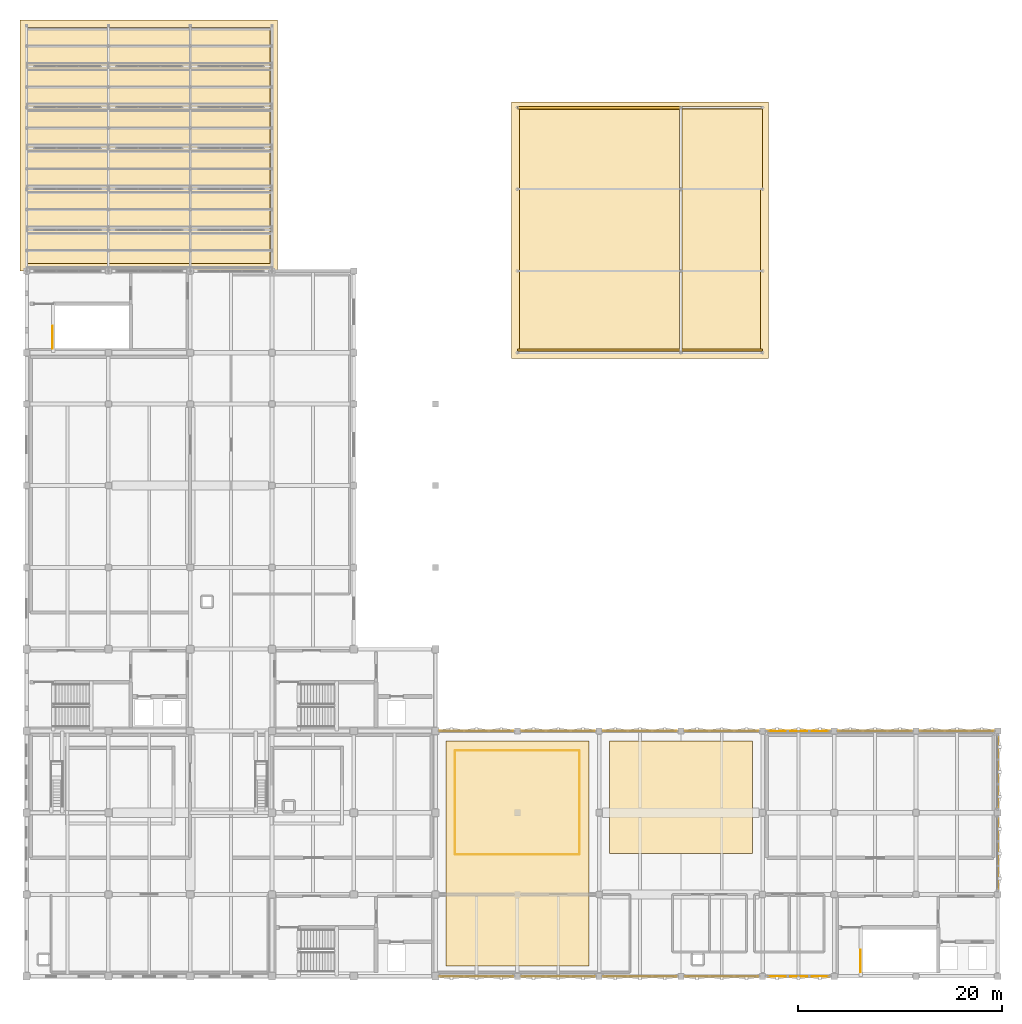
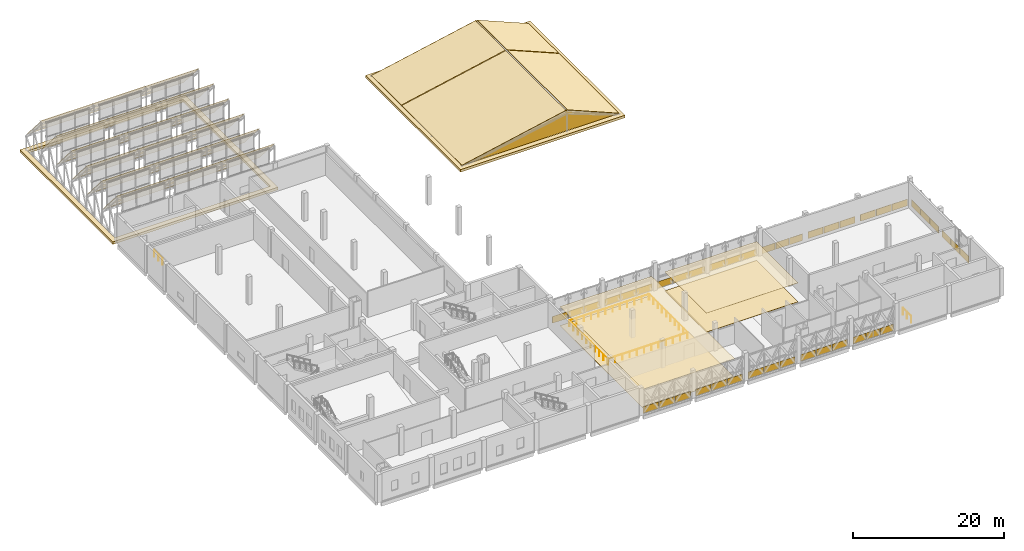
# One storey, part 43 of 43: 60 coverings, 6 railings.
"""IFC4 building model written with IfcOpenShell, lengths in metres."""

from ifc_helpers import new_model, si_unit, direction, frame, origin, origin_2d, place, context, subcontext, project, spatial, polyline, rectangle, circle, outline, extrude, material, layer, layer_set, type_object, element, save


model = new_model("IFC4")

# Units and contexts
model_context = context("Model", 3, precision=1e-05, world=origin(), true_north=direction((0.0, 1.0)))
body_context = subcontext(model_context, "Body", "Model", "MODEL_VIEW")
ifc_project = project(units=[si_unit("LENGTHUNIT", "METRE"), si_unit("AREAUNIT", "SQUARE_METRE"), si_unit("VOLUMEUNIT", "CUBIC_METRE"), si_unit("PLANEANGLEUNIT", "RADIAN"), si_unit("MASSUNIT", "GRAM", prefix="KILO")], contexts=[model_context])

# Site, building, storey
site_placement = place(None, origin())
site = spatial("IfcSite", under=ifc_project, at=site_placement, CompositionType="ELEMENT")
building_placement = place(site_placement, origin())
building = spatial("IfcBuilding", under=site, at=building_placement, Name="Qorikala Patio Media Centre", CompositionType="ELEMENT")
storey_placement = place(building_placement, frame((0.0, 0.0, 18.89990234375)))
storey = spatial("IfcBuildingStorey", under=building, at=storey_placement, Name="L04", CompositionType="ELEMENT", Elevation=18.89990234375)

# Coverings
ifc_material_1 = material(Name="Perforated Andean Timber Acoustic Ceiling", Category="wood")
ifc_layer_1 = layer(ifc_material_1, 0.0400390625)
ifc_layer_set_1 = layer_set([ifc_layer_1], Name="Perforated Andean Timber Acoustic Ceiling")
covering_type_1 = type_object("IfcCoveringType", Name="COV-CEIL-AC", PredefinedType="CEILING", material=ifc_layer_set_1)
covering_1_placement = place(storey_placement, frame((0.0, 0.0, 3.050048828125)))
element("IfcCovering", 1, at=covering_1_placement, inside=storey, type_object=covering_type_1, Name="L04 Acoustic Timber Ceiling 09", PredefinedType="CEILING", context=body_context, shape_type="SweptSolid", body=[
    extrude(outline(polyline([(44.0, 4.0), (58.0, 4.0), (58.0, 26.0), (44.0, 26.0), (44.0, 4.0)])), origin(), (0.0, 0.0, 1.0), 0.0400390625),
])
covering_2_placement = place(storey_placement, frame((0.0, 0.0, 3.050048828125)))
element("IfcCovering", 2, at=covering_2_placement, inside=storey, type_object=covering_type_1, Name="L04 Acoustic Timber Ceiling 10", PredefinedType="CEILING", context=body_context, shape_type="SweptSolid", body=[
    extrude(outline(polyline([(60.0, 15.0), (74.0, 15.0), (74.0, 26.0), (60.0, 26.0), (60.0, 15.0)])), origin(), (0.0, 0.0, 1.0), 0.0400390625),
])
ifc_material_2 = material(Name="Golden Bronze Anodised Aluminium Panel", Category="aluminium")
ifc_layer_2 = layer(ifc_material_2, 0.044921875)
ifc_layer_set_2 = layer_set([ifc_layer_2], Name="Golden Bronze Anodised Aluminium Panel")
covering_type_2 = type_object("IfcCoveringType", Name="COV-CLAD-GOLD", PredefinedType="CLADDING", material=ifc_layer_set_2)
for number, where, z_axis, x_axis, name in (
    (3, (68.5732421875, 27.0, 0.0), (0.0, 0.0, 1.0), (1.0, 0.0, 0.0), "L04 Golden Diamond Fold Spandrel 115"),
    (4, (71.0, 27.0, 0.0), (0.0, 0.0, 1.0), (1.0, 0.0, 0.0), "L04 Golden Diamond Fold Spandrel 116"),
    (5, (73.4267578125, 27.0, 0.0), (0.0, 0.0, 1.0), (1.0, 0.0, 0.0), "L04 Golden Diamond Fold Spandrel 117"),
):
    element("IfcCovering", number, at=place(storey_placement, frame(where, z_axis=z_axis, x_axis=x_axis)), inside=storey, type_object=covering_type_2, Name=name, PredefinedType="CLADDING", context=body_context, shape_type="SweptSolid", body=[
        extrude(rectangle(XDim=2.32666015625, YDim=0.044921875, at=origin_2d()), origin(), (0.0, 0.0, 1.0), 1.077880859375),
    ])
for number, where, z_axis, x_axis, name in (
    (6, (76.40673828125, 27.0, 0.0), (0.0, 0.0, 1.0), (1.0, 0.0, 0.0), "L04 Golden Diamond Fold Spandrel 118"),
    (7, (78.5, 27.0, 0.0), (0.0, 0.0, 1.0), (1.0, 0.0, 0.0), "L04 Golden Diamond Fold Spandrel 119"),
    (8, (80.59326171875, 27.0, 0.0), (0.0, 0.0, 1.0), (1.0, 0.0, 0.0), "L04 Golden Diamond Fold Spandrel 120"),
):
    element("IfcCovering", number, at=place(storey_placement, frame(where, z_axis=z_axis, x_axis=x_axis)), inside=storey, type_object=covering_type_2, Name=name, PredefinedType="CLADDING", context=body_context, shape_type="SweptSolid", body=[
        extrude(rectangle(XDim=1.993408203125, YDim=0.044921875, at=origin_2d()), origin(), (0.0, 0.0, 1.0), 1.077880859375),
    ])
for number, where, z_axis, x_axis, name in (
    (9, (83.5732421875, 27.0, 0.0), (0.0, 0.0, 1.0), (1.0, 0.0, 0.0), "L04 Golden Diamond Fold Spandrel 121"),
    (10, (86.0, 27.0, 0.0), (0.0, 0.0, 1.0), (1.0, 0.0, 0.0), "L04 Golden Diamond Fold Spandrel 122"),
    (11, (88.4267578125, 27.0, 0.0), (0.0, 0.0, 1.0), (1.0, 0.0, 0.0), "L04 Golden Diamond Fold Spandrel 123"),
    (12, (91.5732421875, 27.0, 0.0), (0.0, 0.0, 1.0), (1.0, 0.0, 0.0), "L04 Golden Diamond Fold Spandrel 124"),
    (13, (94.0, 27.0, 0.0), (0.0, 0.0, 1.0), (1.0, 0.0, 0.0), "L04 Golden Diamond Fold Spandrel 125"),
    (14, (96.4267578125, 27.0, 0.0), (0.0, 0.0, 1.0), (1.0, 0.0, 0.0), "L04 Golden Diamond Fold Spandrel 126"),
    (15, (98.0, 25.4267578125, 0.0), (0.0, 0.0, 1.0), (0.0, -1.0, 0.0), "L04 Golden Diamond Fold Spandrel 127"),
    (16, (98.0, 23.0, 0.0), (0.0, 0.0, 1.0), (0.0, -1.0, 0.0), "L04 Golden Diamond Fold Spandrel 128"),
    (17, (98.0, 20.5732421875, 0.0), (0.0, 0.0, 1.0), (0.0, -1.0, 0.0), "L04 Golden Diamond Fold Spandrel 129"),
    (18, (98.0, 17.4267578125, 0.0), (0.0, 0.0, 1.0), (0.0, -1.0, 0.0), "L04 Golden Diamond Fold Spandrel 130"),
    (19, (98.0, 15.0, 0.0), (0.0, 0.0, 1.0), (0.0, -1.0, 0.0), "L04 Golden Diamond Fold Spandrel 131"),
    (20, (98.0, 12.5732421875, 0.0), (0.0, 0.0, 1.0), (0.0, -1.0, 0.0), "L04 Golden Diamond Fold Spandrel 132"),
):
    element("IfcCovering", number, at=place(storey_placement, frame(where, z_axis=z_axis, x_axis=x_axis)), inside=storey, type_object=covering_type_2, Name=name, PredefinedType="CLADDING", context=body_context, shape_type="SweptSolid", body=[
        extrude(rectangle(XDim=2.32666015625, YDim=0.044921875, at=origin_2d()), origin(), (0.0, 0.0, 1.0), 1.077880859375),
    ])
for number, where, z_axis, x_axis, name in (
    (21, (80.59326171875, 3.0, 0.0), (0.0, 0.0, 1.0), (-1.0, 0.0, 0.0), "L04 Golden Diamond Fold Spandrel 133"),
    (22, (78.5, 3.0, 0.0), (0.0, 0.0, 1.0), (-1.0, 0.0, 0.0), "L04 Golden Diamond Fold Spandrel 134"),
    (23, (76.40673828125, 3.0, 0.0), (0.0, 0.0, 1.0), (-1.0, 0.0, 0.0), "L04 Golden Diamond Fold Spandrel 135"),
):
    element("IfcCovering", number, at=place(storey_placement, frame(where, z_axis=z_axis, x_axis=x_axis)), inside=storey, type_object=covering_type_2, Name=name, PredefinedType="CLADDING", context=body_context, shape_type="SweptSolid", body=[
        extrude(rectangle(XDim=1.993408203125, YDim=0.044921875, at=origin_2d()), origin(), (0.0, 0.0, 1.0), 1.077880859375),
    ])
for number, where, z_axis, x_axis, name in (
    (24, (73.4267578125, 3.0, 0.0), (0.0, 0.0, 1.0), (-1.0, 0.0, 0.0), "L04 Golden Diamond Fold Spandrel 136"),
    (25, (71.0, 3.0, 0.0), (0.0, 0.0, 1.0), (-1.0, 0.0, 0.0), "L04 Golden Diamond Fold Spandrel 137"),
    (26, (68.5732421875, 3.0, 0.0), (0.0, 0.0, 1.0), (-1.0, 0.0, 0.0), "L04 Golden Diamond Fold Spandrel 138"),
    (27, (65.4267578125, 3.0, 0.0), (0.0, 0.0, 1.0), (-1.0, 0.0, 0.0), "L04 Golden Diamond Fold Spandrel 139"),
    (28, (63.0, 3.0, 0.0), (0.0, 0.0, 1.0), (-1.0, 0.0, 0.0), "L04 Golden Diamond Fold Spandrel 140"),
    (29, (60.5732421875, 3.0, 0.0), (0.0, 0.0, 1.0), (-1.0, 0.0, 0.0), "L04 Golden Diamond Fold Spandrel 141"),
    (30, (57.4267578125, 3.0, 0.0), (0.0, 0.0, 1.0), (-1.0, 0.0, 0.0), "L04 Golden Diamond Fold Spandrel 142"),
    (31, (55.0, 3.0, 0.0), (0.0, 0.0, 1.0), (-1.0, 0.0, 0.0), "L04 Golden Diamond Fold Spandrel 143"),
    (32, (52.5732421875, 3.0, 0.0), (0.0, 0.0, 1.0), (-1.0, 0.0, 0.0), "L04 Golden Diamond Fold Spandrel 144"),
    (33, (49.4267578125, 3.0, 0.0), (0.0, 0.0, 1.0), (-1.0, 0.0, 0.0), "L04 Golden Diamond Fold Spandrel 145"),
    (34, (47.0, 3.0, 0.0), (0.0, 0.0, 1.0), (-1.0, 0.0, 0.0), "L04 Golden Diamond Fold Spandrel 146"),
    (35, (44.5732421875, 3.0, 0.0), (0.0, 0.0, 1.0), (-1.0, 0.0, 0.0), "L04 Golden Diamond Fold Spandrel 147"),
    (36, (44.5732421875, 27.0, 0.0), (0.0, 0.0, 1.0), (1.0, 0.0, 0.0), "L04 Golden Diamond Fold Spandrel 148"),
    (37, (47.0, 27.0, 0.0), (0.0, 0.0, 1.0), (1.0, 0.0, 0.0), "L04 Golden Diamond Fold Spandrel 149"),
    (38, (49.4267578125, 27.0, 0.0), (0.0, 0.0, 1.0), (1.0, 0.0, 0.0), "L04 Golden Diamond Fold Spandrel 150"),
    (39, (52.5732421875, 27.0, 0.0), (0.0, 0.0, 1.0), (1.0, 0.0, 0.0), "L04 Golden Diamond Fold Spandrel 151"),
    (40, (55.0, 27.0, 0.0), (0.0, 0.0, 1.0), (1.0, 0.0, 0.0), "L04 Golden Diamond Fold Spandrel 152"),
    (41, (57.4267578125, 27.0, 0.0), (0.0, 0.0, 1.0), (1.0, 0.0, 0.0), "L04 Golden Diamond Fold Spandrel 153"),
    (42, (60.5732421875, 27.0, 0.0), (0.0, 0.0, 1.0), (1.0, 0.0, 0.0), "L04 Golden Diamond Fold Spandrel 154"),
    (43, (63.0, 27.0, 0.0), (0.0, 0.0, 1.0), (1.0, 0.0, 0.0), "L04 Golden Diamond Fold Spandrel 155"),
    (44, (65.4267578125, 27.0, 0.0), (0.0, 0.0, 1.0), (1.0, 0.0, 0.0), "L04 Golden Diamond Fold Spandrel 156"),
):
    element("IfcCovering", number, at=place(storey_placement, frame(where, z_axis=z_axis, x_axis=x_axis)), inside=storey, type_object=covering_type_2, Name=name, PredefinedType="CLADDING", context=body_context, shape_type="SweptSolid", body=[
        extrude(rectangle(XDim=2.32666015625, YDim=0.044921875, at=origin_2d()), origin(), (0.0, 0.0, 1.0), 1.077880859375),
    ])
ifc_material_3 = material(Name="Comanche Granite Ashlar Stone", Category="masonry")
ifc_layer_3 = layer(ifc_material_3, 0.06005859375)
ifc_layer_set_3 = layer_set([ifc_layer_3], Name="Comanche Granite Ashlar Stone")
covering_type_3 = type_object("IfcCoveringType", Name="COV-CLAD-STONE", PredefinedType="CLADDING", material=ifc_layer_set_3)
for number, where, z_axis, x_axis, name in (
    (45, (51.0, 64.14990234375, 0.25), (0.0, -1.0, 0.0), (1.0, 0.0, 0.0), "L04 Colonial Gable Tympanum Cladding GW-V5-S"),
    (46, (51.0, 87.85009765625, 0.25), (0.0, -1.0, 0.0), (1.0, 0.0, 0.0), "L04 Colonial Gable Tympanum Cladding GW-V5-N"),
):
    element("IfcCovering", number, at=place(storey_placement, frame(where, z_axis=z_axis, x_axis=x_axis)), inside=storey, type_object=covering_type_3, Name=name, PredefinedType="CLADDING", context=body_context, shape_type="SweptSolid", body=[
        extrude(outline(polyline([(0.0, 0.0), (24.0, 0.0), (16.0, 3.330078125), (0.0, 0.0)])), origin(), (0.0, 0.0, -1.0), 0.239990234375),
    ])
covering_3_placement = place(storey_placement, frame((0.0, 0.0, -0.199951171875)))
element("IfcCovering", 47, at=covering_3_placement, inside=storey, type_object=covering_type_3, Name="Classical Moulded Stone Cornice CORN-V4-TOP", PredefinedType="CLADDING", context=body_context, shape_type="SweptSolid", body=[
    extrude(outline(polyline([(2.35009765625, 72.0), (27.550048828125, 72.0), (27.550048828125, 96.550048828125), (2.35009765625, 96.550048828125), (2.35009765625, 72.0)]), holes=[polyline([(3.10009765625, 72.75), (26.800048828125, 72.75), (26.800048828125, 95.800048828125), (3.10009765625, 95.800048828125), (3.10009765625, 72.75)])]), origin(), (0.0, 0.0, 1.0), 0.400146484375),
])
covering_4_placement = place(storey_placement, frame((0.0, 0.0, -0.199951171875)))
element("IfcCovering", 48, at=covering_4_placement, inside=storey, type_object=covering_type_3, Name="Classical Moulded Stone Cornice CORN-V5-TOP", PredefinedType="CLADDING", context=body_context, shape_type="SweptSolid", body=[
    extrude(outline(polyline([(50.449951171875, 63.449951171875), (75.550048828125, 63.449951171875), (75.550048828125, 88.550048828125), (50.449951171875, 88.550048828125), (50.449951171875, 63.449951171875)]), holes=[polyline([(51.199951171875, 64.199951171875), (74.800048828125, 64.199951171875), (74.800048828125, 87.800048828125), (51.199951171875, 87.800048828125), (51.199951171875, 64.199951171875)])]), origin(), (0.0, 0.0, 1.0), 0.400146484375),
])
ifc_material_4 = material(Name="Honed Comanche Granite Flooring", Category="masonry")
ifc_layer_4 = layer(ifc_material_4, 0.034912109375)
ifc_layer_set_4 = layer_set([ifc_layer_4], Name="Honed Comanche Granite Flooring")
covering_type_4 = type_object("IfcCoveringType", Name="COV-FLOR-STONE", PredefinedType="FLOORING", material=ifc_layer_set_4)
covering_5_placement = place(storey_placement, origin())
element("IfcCovering", 49, at=covering_5_placement, inside=storey, type_object=covering_type_4, Name="L04 Honed Comanche Granite Flooring 09", PredefinedType="FLOORING", context=body_context, shape_type="SweptSolid", body=[
    extrude(outline(polyline([(44.0, 4.0), (58.0, 4.0), (58.0, 26.0), (44.0, 26.0), (44.0, 4.0)])), origin(), (0.0, 0.0, 1.0), 0.03515625),
])
covering_6_placement = place(storey_placement, origin())
element("IfcCovering", 50, at=covering_6_placement, inside=storey, type_object=covering_type_4, Name="L04 Honed Comanche Granite Flooring 10", PredefinedType="FLOORING", context=body_context, shape_type="SweptSolid", body=[
    extrude(outline(polyline([(60.0, 15.0), (74.0, 15.0), (74.0, 26.0), (60.0, 26.0), (60.0, 15.0)])), origin(), (0.0, 0.0, 1.0), 0.03515625),
])
ifc_material_5 = material(Name="Standing-Seam Bronze Insulated Roofing")
ifc_layer_5 = layer(ifc_material_5, 0.050048828125)
ifc_layer_set_5 = layer_set([ifc_layer_5], Name="Standing-Seam Bronze Insulated Roofing")
covering_type_5 = type_object("IfcCoveringType", Name="COV-ROOF-METAL", PredefinedType="ROOFING", material=ifc_layer_set_5)
for number, where, z_axis, x_axis, name in (
    (51, (3.0, 72.0, 7.4501953125), (0.0, 0.758114748465, 0.652121175978), (1.0, 0.0, 0.0), "SAW-V4 Insulated Standing-Seam Roof Bay 1"),
    (52, (3.0, 76.0, 7.4501953125), (0.0, 0.758114748465, 0.652121175978), (1.0, 0.0, 0.0), "SAW-V4 Insulated Standing-Seam Roof Bay 2"),
    (53, (3.0, 80.0, 7.4501953125), (0.0, 0.758114748465, 0.652121175978), (1.0, 0.0, 0.0), "SAW-V4 Insulated Standing-Seam Roof Bay 3"),
    (54, (3.0, 84.0, 7.4501953125), (0.0, 0.758114748465, 0.652121175978), (1.0, 0.0, 0.0), "SAW-V4 Insulated Standing-Seam Roof Bay 4"),
    (55, (3.0, 88.0, 7.4501953125), (0.0, 0.758114748465, 0.652121175978), (1.0, 0.0, 0.0), "SAW-V4 Insulated Standing-Seam Roof Bay 5"),
    (56, (3.0, 92.0, 7.4501953125), (0.0, 0.758114748465, 0.652121175978), (1.0, 0.0, 0.0), "SAW-V4 Insulated Standing-Seam Roof Bay 6"),
):
    element("IfcCovering", number, at=place(storey_placement, frame(where, z_axis=z_axis, x_axis=x_axis)), inside=storey, type_object=covering_type_5, Name=name, PredefinedType="ROOFING", context=body_context, shape_type="SweptSolid", body=[
        extrude(outline(polyline([(0.0, 0.0), (24.0, 0.0), (24.0, 6.1338293362421785), (0.0, 6.1338293362421785), (0.0, 0.0)])), origin(), (0.0, 0.0, -1.0), 0.050048828125),
    ])
ifc_material_6 = material(Name="Spanish Terracotta Clay Tile", Category="masonry")
ifc_layer_6 = layer(ifc_material_6, 0.054931640625)
ifc_layer_set_6 = layer_set([ifc_layer_6], Name="Spanish Terracotta Clay Tile")
covering_type_6 = type_object("IfcCoveringType", Name="COV-ROOF-TILE", PredefinedType="ROOFING", material=ifc_layer_set_6)
covering_7_placement = place(storey_placement, frame((51.0, 64.050048828125, 0.360107421875), z_axis=(-0.203466133472, 0.0, 0.97908198458), x_axis=(0.97908198458, 0.0, 0.203466133472)))
element("IfcCovering", 57, at=covering_7_placement, inside=storey, type_object=covering_type_6, Name="RF-V5A Terracotta Clay-Tile Roof W", PredefinedType="ROOFING", context=body_context, shape_type="SweptSolid", body=[
    extrude(outline(polyline([(0.0, 0.0), (16.219155354294568, 0.0), (16.219155354294568, 15.89990234375), (0.0, 15.89990234375), (0.0, 0.0)])), origin(), (0.0, 0.0, -1.0), 0.054931640625),
])
covering_8_placement = place(storey_placement, frame((67.1201171875, 64.050048828125, 3.66015625), z_axis=(0.386286811555, 0.0, 0.922378717891), x_axis=(0.922378717891, 0.0, -0.386286811555)))
element("IfcCovering", 58, at=covering_8_placement, inside=storey, type_object=covering_type_6, Name="RF-V5A Terracotta Clay-Tile Roof E", PredefinedType="ROOFING", context=body_context, shape_type="SweptSolid", body=[
    extrude(outline(polyline([(0.0, 0.0), (8.543001545519122, 0.0), (8.543001545519122, 15.89990234375), (0.0, 15.89990234375), (0.0, 0.0)])), origin(), (0.0, 0.0, -1.0), 0.054931640625),
])
covering_9_placement = place(storey_placement, frame((51.0, 80.050048828125, 0.360107421875), z_axis=(-0.203466133472, 0.0, 0.97908198458), x_axis=(0.97908198458, 0.0, 0.203466133472)))
element("IfcCovering", 59, at=covering_9_placement, inside=storey, type_object=covering_type_6, Name="RF-V5B Terracotta Clay-Tile Roof W", PredefinedType="ROOFING", context=body_context, shape_type="SweptSolid", body=[
    extrude(outline(polyline([(0.0, 0.0), (16.219155354294568, 0.0), (16.219155354294568, 7.89990234375), (0.0, 7.89990234375), (0.0, 0.0)])), origin(), (0.0, 0.0, -1.0), 0.054931640625),
])
covering_10_placement = place(storey_placement, frame((67.1201171875, 80.050048828125, 3.66015625), z_axis=(0.386286811555, 0.0, 0.922378717891), x_axis=(0.922378717891, 0.0, -0.386286811555)))
element("IfcCovering", 60, at=covering_10_placement, inside=storey, type_object=covering_type_6, Name="RF-V5B Terracotta Clay-Tile Roof E", PredefinedType="ROOFING", context=body_context, shape_type="SweptSolid", body=[
    extrude(outline(polyline([(0.0, 0.0), (8.543001545519122, 0.0), (8.543001545519122, 7.89990234375), (0.0, 7.89990234375), (0.0, 0.0)])), origin(), (0.0, 0.0, -1.0), 0.054931640625),
])

# Railings
ifc_material_7 = material(Name="Wrought Bronze and Steel S355", Category="steel")
railing_type = type_object("IfcRailingType", Name="RL-GUARD-110", PredefinedType="GUARDRAIL", material=ifc_material_7)
for number, where, name in (
    (61, (5.550048828125, 64.39990234375, 0.0), "L04 ST-3 top well guard 1"),
    (62, (84.550048828125, 3.39990234375, 0.0), "L04 ST-4 top well guard 1"),
):
    element("IfcRailing", number, at=place(storey_placement, frame(where)), inside=storey, type_object=railing_type, Name=name, PredefinedType="GUARDRAIL", context=body_context, shape_type="SweptSolid", body=[
        extrude(circle(Radius=0.02392578125, at=origin_2d()), frame((0.0, 0.0, 1.076171875), z_axis=(0.0, 1.0, 0.0), x_axis=(-1.0, 0.0, 0.0)), (0.0, 0.0, 1.0), 2.2001953125),
        extrude(circle(Radius=0.02099609375, at=origin_2d()), origin(), (0.0, 0.0, 1.0), 1.052001953125),
        extrude(circle(Radius=0.02099609375, at=origin_2d()), frame((0.0, 1.10009765625, 0.0)), (0.0, 0.0, 1.0), 1.052001953125),
        extrude(circle(Radius=0.02099609375, at=origin_2d()), frame((0.0, 2.2001953125, 0.0)), (0.0, 0.0, 1.0), 1.052001953125),
    ])
railing_1_placement = place(storey_placement, frame((44.93994140625, 14.89990234375, 0.0)))
element("IfcRailing", 63, at=railing_1_placement, inside=storey, type_object=railing_type, Name="L04 Rising Foyer Void Guardrail S", PredefinedType="GUARDRAIL", context=body_context, shape_type="SweptSolid", body=[
    extrude(circle(Radius=0.02392578125, at=origin_2d()), frame((0.0, 0.0, 1.076171875), z_axis=(1.0, 0.0, 0.0), x_axis=(0.0, 1.0, 0.0)), (0.0, 0.0, 1.0), 12.1201171875),
    extrude(circle(Radius=0.02099609375, at=origin_2d()), origin(), (0.0, 0.0, 1.0), 1.052001953125),
    extrude(circle(Radius=0.02099609375, at=origin_2d()), frame((1.101806640625, 0.0, 0.0)), (0.0, 0.0, 1.0), 1.052001953125),
    extrude(circle(Radius=0.02099609375, at=origin_2d()), frame((2.20361328125, 0.0, 0.0)), (0.0, 0.0, 1.0), 1.052001953125),
    extrude(circle(Radius=0.02099609375, at=origin_2d()), frame((3.305419921875, 0.0, 0.0)), (0.0, 0.0, 1.0), 1.052001953125),
    extrude(circle(Radius=0.02099609375, at=origin_2d()), frame((4.4072265625, 0.0, 0.0)), (0.0, 0.0, 1.0), 1.052001953125),
    extrude(circle(Radius=0.02099609375, at=origin_2d()), frame((5.509033203125, 0.0, 0.0)), (0.0, 0.0, 1.0), 1.052001953125),
    extrude(circle(Radius=0.02099609375, at=origin_2d()), frame((6.611083984375, 0.0, 0.0)), (0.0, 0.0, 1.0), 1.052001953125),
    extrude(circle(Radius=0.02099609375, at=origin_2d()), frame((7.712890625, 0.0, 0.0)), (0.0, 0.0, 1.0), 1.052001953125),
    extrude(circle(Radius=0.02099609375, at=origin_2d()), frame((8.814697265625, 0.0, 0.0)), (0.0, 0.0, 1.0), 1.052001953125),
    extrude(circle(Radius=0.02099609375, at=origin_2d()), frame((9.91650390625, 0.0, 0.0)), (0.0, 0.0, 1.0), 1.052001953125),
    extrude(circle(Radius=0.02099609375, at=origin_2d()), frame((11.018310546875, 0.0, 0.0)), (0.0, 0.0, 1.0), 1.052001953125),
    extrude(circle(Radius=0.02099609375, at=origin_2d()), frame((12.1201171875, 0.0, 0.0)), (0.0, 0.0, 1.0), 1.052001953125),
])
railing_2_placement = place(storey_placement, frame((57.10009765625, 14.93994140625, 0.0)))
element("IfcRailing", 64, at=railing_2_placement, inside=storey, type_object=railing_type, Name="L04 Rising Foyer Void Guardrail E", PredefinedType="GUARDRAIL", context=body_context, shape_type="SweptSolid", body=[
    extrude(circle(Radius=0.02392578125, at=origin_2d()), frame((0.0, 0.0, 1.076171875), z_axis=(0.0, 1.0, 0.0), x_axis=(-1.0, 0.0, 0.0)), (0.0, 0.0, 1.0), 10.1201171875),
    extrude(circle(Radius=0.02099609375, at=origin_2d()), origin(), (0.0, 0.0, 1.0), 1.052001953125),
    extrude(circle(Radius=0.02099609375, at=origin_2d()), frame((0.0, 1.12451171875, 0.0)), (0.0, 0.0, 1.0), 1.052001953125),
    extrude(circle(Radius=0.02099609375, at=origin_2d()), frame((0.0, 2.2490234375, 0.0)), (0.0, 0.0, 1.0), 1.052001953125),
    extrude(circle(Radius=0.02099609375, at=origin_2d()), frame((0.0, 3.373291015625, 0.0)), (0.0, 0.0, 1.0), 1.052001953125),
    extrude(circle(Radius=0.02099609375, at=origin_2d()), frame((0.0, 4.497802734375, 0.0)), (0.0, 0.0, 1.0), 1.052001953125),
    extrude(circle(Radius=0.02099609375, at=origin_2d()), frame((0.0, 5.622314453125, 0.0)), (0.0, 0.0, 1.0), 1.052001953125),
    extrude(circle(Radius=0.02099609375, at=origin_2d()), frame((0.0, 6.746826171875, 0.0)), (0.0, 0.0, 1.0), 1.052001953125),
    extrude(circle(Radius=0.02099609375, at=origin_2d()), frame((0.0, 7.87109375, 0.0)), (0.0, 0.0, 1.0), 1.052001953125),
    extrude(circle(Radius=0.02099609375, at=origin_2d()), frame((0.0, 8.99560546875, 0.0)), (0.0, 0.0, 1.0), 1.052001953125),
    extrude(circle(Radius=0.02099609375, at=origin_2d()), frame((0.0, 10.1201171875, 0.0)), (0.0, 0.0, 1.0), 1.052001953125),
])
railing_3_placement = place(storey_placement, frame((57.06005859375, 25.10009765625, 0.0)))
element("IfcRailing", 65, at=railing_3_placement, inside=storey, type_object=railing_type, Name="L04 Rising Foyer Void Guardrail N", PredefinedType="GUARDRAIL", context=body_context, shape_type="SweptSolid", body=[
    extrude(circle(Radius=0.02392578125, at=origin_2d()), frame((0.0, 0.0, 1.076171875), z_axis=(-1.0, 0.0, 0.0), x_axis=(0.0, -1.0, 0.0)), (0.0, 0.0, 1.0), 12.1201171875),
    extrude(circle(Radius=0.02099609375, at=origin_2d()), origin(), (0.0, 0.0, 1.0), 1.052001953125),
    extrude(circle(Radius=0.02099609375, at=origin_2d()), frame((-1.101806640625, 0.0, 0.0)), (0.0, 0.0, 1.0), 1.052001953125),
    extrude(circle(Radius=0.02099609375, at=origin_2d()), frame((-2.20361328125, 0.0, 0.0)), (0.0, 0.0, 1.0), 1.052001953125),
    extrude(circle(Radius=0.02099609375, at=origin_2d()), frame((-3.305419921875, 0.0, 0.0)), (0.0, 0.0, 1.0), 1.052001953125),
    extrude(circle(Radius=0.02099609375, at=origin_2d()), frame((-4.4072265625, 0.0, 0.0)), (0.0, 0.0, 1.0), 1.052001953125),
    extrude(circle(Radius=0.02099609375, at=origin_2d()), frame((-5.509033203125, 0.0, 0.0)), (0.0, 0.0, 1.0), 1.052001953125),
    extrude(circle(Radius=0.02099609375, at=origin_2d()), frame((-6.611083984375, 0.0, 0.0)), (0.0, 0.0, 1.0), 1.052001953125),
    extrude(circle(Radius=0.02099609375, at=origin_2d()), frame((-7.712890625, 0.0, 0.0)), (0.0, 0.0, 1.0), 1.052001953125),
    extrude(circle(Radius=0.02099609375, at=origin_2d()), frame((-8.814697265625, 0.0, 0.0)), (0.0, 0.0, 1.0), 1.052001953125),
    extrude(circle(Radius=0.02099609375, at=origin_2d()), frame((-9.91650390625, 0.0, 0.0)), (0.0, 0.0, 1.0), 1.052001953125),
    extrude(circle(Radius=0.02099609375, at=origin_2d()), frame((-11.018310546875, 0.0, 0.0)), (0.0, 0.0, 1.0), 1.052001953125),
    extrude(circle(Radius=0.02099609375, at=origin_2d()), frame((-12.1201171875, 0.0, 0.0)), (0.0, 0.0, 1.0), 1.052001953125),
])
railing_4_placement = place(storey_placement, frame((44.89990234375, 25.06005859375, 0.0)))
element("IfcRailing", 66, at=railing_4_placement, inside=storey, type_object=railing_type, Name="L04 Rising Foyer Void Guardrail W", PredefinedType="GUARDRAIL", context=body_context, shape_type="SweptSolid", body=[
    extrude(circle(Radius=0.02392578125, at=origin_2d()), frame((0.0, 0.0, 1.076171875), z_axis=(0.0, -1.0, 0.0), x_axis=(1.0, 0.0, 0.0)), (0.0, 0.0, 1.0), 10.1201171875),
    extrude(circle(Radius=0.02099609375, at=origin_2d()), origin(), (0.0, 0.0, 1.0), 1.052001953125),
    extrude(circle(Radius=0.02099609375, at=origin_2d()), frame((0.0, -1.12451171875, 0.0)), (0.0, 0.0, 1.0), 1.052001953125),
    extrude(circle(Radius=0.02099609375, at=origin_2d()), frame((0.0, -2.2490234375, 0.0)), (0.0, 0.0, 1.0), 1.052001953125),
    extrude(circle(Radius=0.02099609375, at=origin_2d()), frame((0.0, -3.373291015625, 0.0)), (0.0, 0.0, 1.0), 1.052001953125),
    extrude(circle(Radius=0.02099609375, at=origin_2d()), frame((0.0, -4.497802734375, 0.0)), (0.0, 0.0, 1.0), 1.052001953125),
    extrude(circle(Radius=0.02099609375, at=origin_2d()), frame((0.0, -5.622314453125, 0.0)), (0.0, 0.0, 1.0), 1.052001953125),
    extrude(circle(Radius=0.02099609375, at=origin_2d()), frame((0.0, -6.746826171875, 0.0)), (0.0, 0.0, 1.0), 1.052001953125),
    extrude(circle(Radius=0.02099609375, at=origin_2d()), frame((0.0, -7.87109375, 0.0)), (0.0, 0.0, 1.0), 1.052001953125),
    extrude(circle(Radius=0.02099609375, at=origin_2d()), frame((0.0, -8.99560546875, 0.0)), (0.0, 0.0, 1.0), 1.052001953125),
    extrude(circle(Radius=0.02099609375, at=origin_2d()), frame((0.0, -10.1201171875, 0.0)), (0.0, 0.0, 1.0), 1.052001953125),
])

save(model, "model.ifc")
